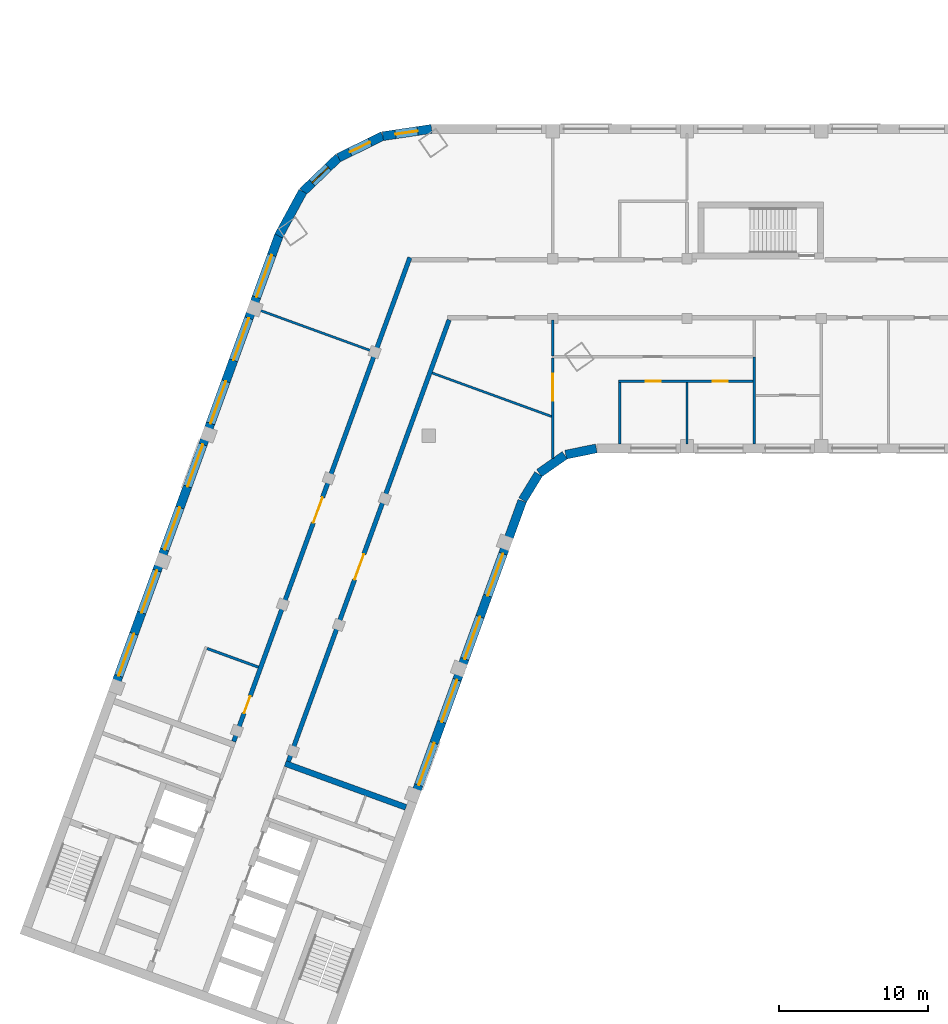
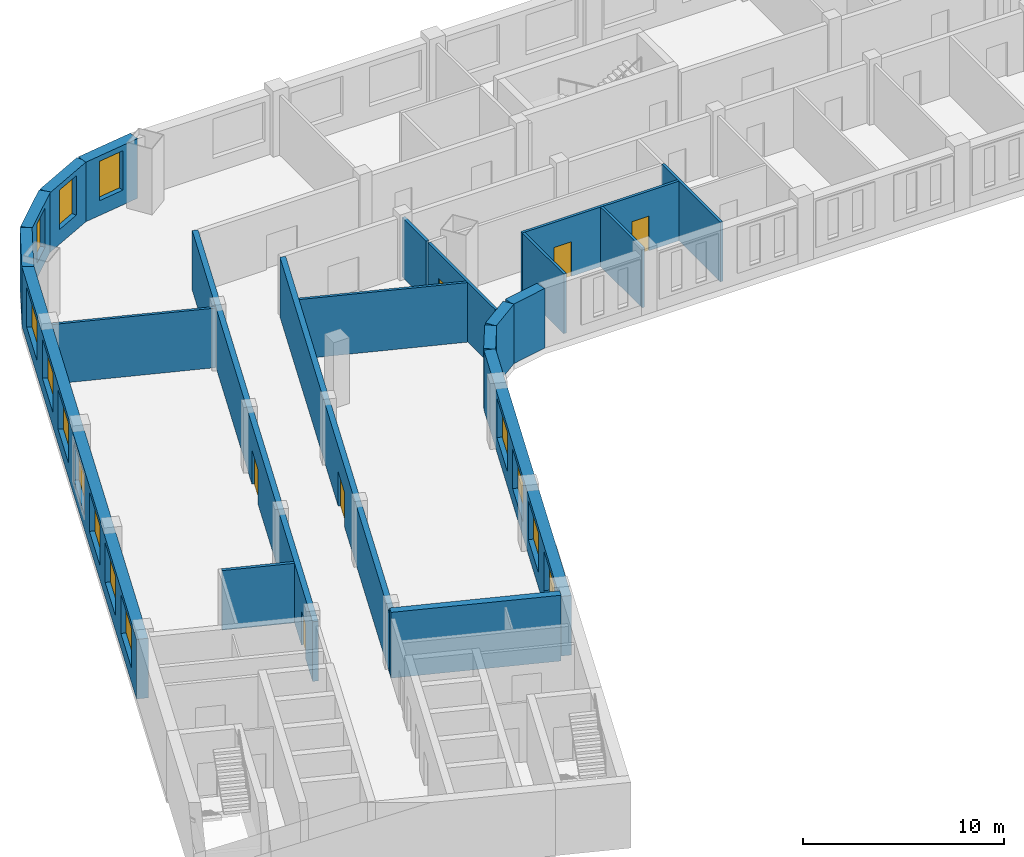
# One storey, part 3 of 12: 21 walls, 14 windows, 6 doors, 20 openings.
"""IFC4 building model written with IfcOpenShell, lengths in metres."""

import ifcopenshell
import ifcopenshell.guid

model = None  # the IFC model being written
_history = None  # IfcOwnerHistory: only IFC2X3 demands one
_inside = {}  # id of a spatial element -> (the spatial element, [elements in it])
_under = {}  # id of a project, library or spatial element -> (it, [spatial elements below it])
_declared = {}  # id of a project -> (the project, [libraries it declares])
_typed = {}  # id of a type object -> (the type object, [elements of that type])
_made_of = {}  # id of a material, layer set ... -> (it, [elements and type objects made of it])


def new_model(schema):
    """Start an empty IFC model of exactly this schema.

    Asked for "IFC4X3", IfcOpenShell would pick the latest addendum, in which some entities
    have other attributes; the version numbers below select the first issue.
    IFC2X3 requires an IfcOwnerHistory on every rooted entity: one is made here for all.
    """
    global model, _history
    if schema == "IFC4X3":
        model = ifcopenshell.file(schema_version=(4, 3, 0, 0))
    else:
        model = ifcopenshell.file(schema=schema)
    _inside.clear()
    _under.clear()
    _declared.clear()
    _typed.clear()
    _made_of.clear()
    _history = None
    if model.schema == "IFC2X3":
        org = make("IfcOrganization", Name="unknown")
        user = make(
            "IfcPersonAndOrganization",
            ThePerson=make("IfcPerson", FamilyName="unknown"),
            TheOrganization=org,
        )
        app = make(
            "IfcApplication",
            ApplicationDeveloper=org,
            Version="unknown",
            ApplicationFullName="unknown",
            ApplicationIdentifier="unknown",
        )
        _history = make(
            "IfcOwnerHistory",
            OwningUser=user,
            OwningApplication=app,
            ChangeAction="ADDED",
            CreationDate=0,
        )
    return model


def make(cls, **values):
    """One entity of the class cls with the attributes given. An attribute that is None is left unset."""
    return model.create_entity(
        cls, **{name: value for name, value in values.items() if value is not None}
    )


def rooted(cls, **values):
    """An entity with a GlobalId (a new one), such as an element, a storey or a relation."""
    return make(cls, GlobalId=ifcopenshell.guid.new(), OwnerHistory=_history, **values)


def si_unit(unit_type, name, prefix=None):
    """IfcSIUnit, for example si_unit("LENGTHUNIT", "METRE", prefix="MILLI")."""
    return make("IfcSIUnit", UnitType=unit_type, Prefix=prefix, Name=name)


def assignment(units):
    """IfcUnitAssignment: the units of a project."""
    return None if units is None else make("IfcUnitAssignment", Units=units)


def point(xyz):
    """IfcCartesianPoint."""
    return None if xyz is None else make("IfcCartesianPoint", Coordinates=xyz)


def direction(xyz):
    """IfcDirection."""
    return None if xyz is None else make("IfcDirection", DirectionRatios=xyz)


def frame(location, z_axis=None, x_axis=None):
    """IfcAxis2Placement3D, a coordinate frame: its origin and axes. An axis left out is left unset."""
    return make(
        "IfcAxis2Placement3D",
        Location=point(location),
        Axis=direction(z_axis),
        RefDirection=direction(x_axis),
    )


def frame_2d(location, x_axis=None):
    """IfcAxis2Placement2D, a coordinate frame in the plane: its origin and x axis."""
    return make(
        "IfcAxis2Placement2D", Location=point(location), RefDirection=direction(x_axis)
    )


def origin():
    """The frame at (0, 0, 0) with its axes left unset."""
    return frame((0.0, 0.0, 0.0))


def place(relative_to, where):
    """IfcLocalPlacement: puts the frame where relative to a parent placement (None: the world)."""
    return make(
        "IfcLocalPlacement", PlacementRelTo=relative_to, RelativePlacement=where
    )


def context(
    kind, dimensions, precision=None, world=None, true_north=None, identifier=None
):
    """IfcGeometricRepresentationContext, for example the 3D "Model" context."""
    return make(
        "IfcGeometricRepresentationContext",
        ContextIdentifier=identifier,
        ContextType=kind,
        CoordinateSpaceDimension=dimensions,
        Precision=precision,
        WorldCoordinateSystem=world,
        TrueNorth=true_north,
    )


def subcontext(parent, identifier, kind, view, scale=None):
    """IfcGeometricRepresentationSubContext, for example "Body" below "Model"."""
    return make(
        "IfcGeometricRepresentationSubContext",
        ContextIdentifier=identifier,
        ContextType=kind,
        ParentContext=parent,
        TargetScale=scale,
        TargetView=view,
    )


def project(units=None, contexts=None):
    """IfcProject with its units and contexts."""
    return rooted(
        "IfcProject",
        Name="project",
        RepresentationContexts=contexts,
        UnitsInContext=assignment(units),
    )


def spatial(cls, under=None, at=None, **own):
    """A site, building, storey or space (cls), placed at a placement, below another one or the project."""
    s = rooted(cls, ObjectPlacement=at, **own)
    if under is not None:
        _under.setdefault(under.id(), (under, []))[1].append(s)
    return s


def profile(cls, at=None, kind="AREA", **sizes):
    """A parametric profile (cls). Its sizes go by their IFC names, for example OverallWidth=200.0."""
    return make(cls, ProfileType=kind, Position=at, **sizes)


def rectangle(**sizes):
    """IfcRectangleProfileDef."""
    return profile("IfcRectangleProfileDef", **sizes)


def extrude(swept, where, along, depth):
    """IfcExtrudedAreaSolid: the profile swept, set in the frame where, extruded along a direction by depth."""
    return make(
        "IfcExtrudedAreaSolid",
        SweptArea=swept,
        Position=where,
        ExtrudedDirection=direction(along),
        Depth=depth,
    )


def shape(context_of_items, identifier, shape_type, items):
    """IfcShapeRepresentation: the items that make up one representation, for example the "Body"."""
    return make(
        "IfcShapeRepresentation",
        ContextOfItems=context_of_items,
        RepresentationIdentifier=identifier,
        RepresentationType=shape_type,
        Items=items,
    )


def material(Name=None, Category=None):
    """IfcMaterial."""
    return make("IfcMaterial", Name=Name, Category=Category)


def layer(
    of_material, thickness, ventilated=None, Name=None, Category=None, Priority=None
):
    """IfcMaterialLayer: one layer of a wall or slab, of a material (None: an air gap)."""
    return make(
        "IfcMaterialLayer",
        Material=of_material,
        LayerThickness=thickness,
        IsVentilated=ventilated,
        Name=Name,
        Category=Category,
        Priority=Priority,
    )


def layer_set(layers, Name=None):
    """IfcMaterialLayerSet."""
    return make("IfcMaterialLayerSet", MaterialLayers=layers, LayerSetName=Name)


def made_of(thing, what):
    """Note that an element or type object is made of a material, layer set ...; save() writes the relation."""
    if what is not None:
        _made_of.setdefault(what.id(), (what, []))[1].append(thing)
    return thing


def type_object(cls, material=None, **own):
    """A type object (cls), such as IfcWallType, which elements share."""
    return made_of(rooted(cls, **own), material)


def element(
    cls,
    number,
    at=None,
    inside=None,
    cuts=None,
    type_object=None,
    material=None,
    context=None,
    identifier="Body",
    shape_type=None,
    held_by="IfcProductDefinitionShape",
    body=None,
    shapes=None,
    **own,
):
    """One element of the class cls, such as IfcWall. Its Tag is "e" and its number.

    at: its placement. inside: the storey or other place that contains it. cuts: it is an
    opening in that element (IfcRelVoidsElement). A single representation is given by context,
    identifier, shape_type and body (its items); several are given by shapes. held_by: the class
    of the entity that holds the representations. save() writes the other relations.
    """
    e = rooted(cls, Tag="e%d" % number, ObjectPlacement=at, **own)
    if body is not None:
        shapes = [shape(context, identifier, shape_type, body)]
    if shapes is not None:
        e.Representation = make(held_by, Representations=shapes)
    if inside is not None:
        _inside.setdefault(inside.id(), (inside, []))[1].append(e)
    if cuts is not None:
        rooted(
            "IfcRelVoidsElement", RelatingBuildingElement=cuts, RelatedOpeningElement=e
        )
    if type_object is not None:
        _typed.setdefault(type_object.id(), (type_object, []))[1].append(e)
    return made_of(e, material)


def fill(opening, filler):
    """IfcRelFillsElement: the door or window that sits in an opening."""
    return rooted(
        "IfcRelFillsElement",
        RelatingOpeningElement=opening,
        RelatedBuildingElement=filler,
    )


def aggregate(whole, parts):
    """IfcRelAggregates: a whole, such as a stair, and the parts it consists of."""
    return rooted("IfcRelAggregates", RelatingObject=whole, RelatedObjects=parts)


def save(model, path):
    """Write the relations noted so far, then the file.

    IfcRelAggregates (storeys below a building ...), IfcRelContainedInSpatialStructure (elements
    in a storey), IfcRelDefinesByType, IfcRelAssociatesMaterial and IfcRelDeclares: one each for
    every whole, place, type object, material and project.
    """
    for whole, parts in _under.values():
        aggregate(whole, parts)
    for where, things in _inside.values():
        rooted(
            "IfcRelContainedInSpatialStructure",
            RelatedElements=things,
            RelatingStructure=where,
        )
    for kind, things in _typed.values():
        rooted("IfcRelDefinesByType", RelatedObjects=things, RelatingType=kind)
    for what, things in _made_of.values():
        rooted("IfcRelAssociatesMaterial", RelatedObjects=things, RelatingMaterial=what)
    for by, libraries in _declared.values():
        rooted("IfcRelDeclares", RelatingContext=by, RelatedDefinitions=libraries)
    model.write(path)


model = new_model("IFC4")

# Units and contexts
model_context = context("Model", 3, precision=1e-05, world=origin(), true_north=direction((0.0, 1.0)))
body_context = subcontext(model_context, "Body", "Model", "MODEL_VIEW")
ifc_project = project(units=[si_unit("LENGTHUNIT", "METRE"), si_unit("AREAUNIT", "SQUARE_METRE"), si_unit("VOLUMEUNIT", "CUBIC_METRE"), si_unit("PLANEANGLEUNIT", "RADIAN"), si_unit("MASSUNIT", "GRAM", prefix="KILO")], contexts=[model_context])

# Site, building, storey
site_placement = place(None, origin())
site = spatial("IfcSite", under=ifc_project, at=site_placement, CompositionType="ELEMENT")
building_placement = place(site_placement, origin())
building = spatial("IfcBuilding", under=site, at=building_placement, Name="Skarvind Civic Tower", CompositionType="ELEMENT")
storey_placement = place(building_placement, frame((0.0, 0.0, 71.5)))
storey = spatial("IfcBuildingStorey", under=building, at=storey_placement, Name="L16", CompositionType="ELEMENT", Elevation=71.5)

# Walls
ifc_material_1 = material(Name="Acoustic gypsum board on steel studs", Category="steel")
ifc_layer_1 = layer(ifc_material_1, 0.175048828125)
ifc_layer_set_1 = layer_set([ifc_layer_1], Name="ACOUSTIC MEETING-ROOM PARTITION 175")
wall_type_1 = type_object("IfcWallType", Name="ACOUSTIC MEETING-ROOM PARTITION 175", PredefinedType="PARTITIONING", material=ifc_layer_set_1)
wall_1_placement = place(storey_placement, frame((31.093994140625, 103.89404296875, 0.0), z_axis=(0.0, 0.0, 1.0), x_axis=(0.939676603928, -0.342064146075, 0.0)))
element("IfcWall", 1, at=wall_1_placement, inside=storey, type_object=wall_type_1, Name="Partition 16.002", PredefinedType="PARTITIONING", context=body_context, shape_type="SweptSolid", body=[
    extrude(rectangle(XDim=3.662841796875, YDim=0.175048828125, at=frame_2d((1.83154296875, 0.0))), origin(), (0.0, 0.0, 1.0), 3.625),
])
wall_2_placement = place(storey_placement, frame((54.25, 123.501953125, 0.0), z_axis=(0.0, 0.0, 1.0), x_axis=(0.0, 1.0, 0.0)))
element("IfcWall", 2, at=wall_2_placement, inside=storey, type_object=wall_type_1, Name="Partition 16.009", PredefinedType="PARTITIONING", context=body_context, shape_type="SweptSolid", body=[
    extrude(rectangle(XDim=2.39794921875, YDim=0.175048828125, at=frame_2d((1.198974609375, 0.0))), origin(), (0.0, 0.0, 1.0), 3.625),
])

# Wall, openings, doors
ifc_material_2 = material(Name="Fire-rated gypsum board on steel studs", Category="steel")
ifc_layer_2 = layer(ifc_material_2, 0.300048828125)
ifc_layer_set_2 = layer_set([ifc_layer_2], Name="CORRIDOR WALL 300")
wall_type_2 = type_object("IfcWallType", Name="CORRIDOR WALL 300", PredefinedType="PARTITIONING", material=ifc_layer_set_2)
wall_3_placement = place(storey_placement, frame((32.881103515625, 97.656982421875, 0.0), z_axis=(0.0, 0.0, 1.0), x_axis=(0.342017360004, 0.939693633828, 0.0)))
wall_3 = element("IfcWall", 3, at=wall_3_placement, inside=storey, type_object=wall_type_2, Name="Partition 16.003", PredefinedType="PARTITIONING", context=body_context, shape_type="SweptSolid", body=[
    extrude(rectangle(XDim=34.515625, YDim=0.300048828125, at=frame_2d((17.2578125, 0.0))), origin(), (0.0, 0.0, 1.0), 3.625),
])
opening_1_placement = place(wall_3_placement, frame((2.02490234375, 0.0, 0.0)))
opening_1 = element("IfcOpeningElement", 4, at=opening_1_placement, cuts=wall_3, Name="Opening L16-D017", PredefinedType="OPENING", context=body_context, shape_type="SweptSolid", body=[
    extrude(rectangle(XDim=1.199951171875, YDim=2.10009765625, at=frame_2d((0.60009765625, 1.050048828125))), frame((0.0, 0.159912109375, 0.0), z_axis=(0.0, -1.0, 0.0), x_axis=(1.0, 0.0, 0.0)), (0.0, 0.0, 1.0), 0.320068359375),
])
opening_2_placement = place(wall_3_placement, frame((15.60009765625, 0.0, 0.0)))
opening_2 = element("IfcOpeningElement", 5, at=opening_2_placement, cuts=wall_3, Name="Opening L16-D018", PredefinedType="OPENING", context=body_context, shape_type="SweptSolid", body=[
    extrude(rectangle(XDim=1.800048828125, YDim=2.10009765625, at=frame_2d((0.89990234375, 1.050048828125))), frame((0.0, 0.159912109375, 0.0), z_axis=(0.0, -1.0, 0.0), x_axis=(1.0, 0.0, 0.0)), (0.0, 0.0, 1.0), 0.320068359375),
])
ifc_material_3 = material(Name="Fire-rated timber door leaf", Category="wood")
door_type_1 = type_object("IfcDoorType", Name="FD4 1800x2100", OperationType="NOTDEFINED", PredefinedType="DOOR", material=ifc_material_3)
door_1_placement = place(opening_2_placement, origin())
door_1 = element("IfcDoor", 6, at=door_1_placement, inside=storey, type_object=door_type_1, Name="Door L16-D018", OperationType="DOUBLE_DOOR_SINGLE_SWING", OverallHeight=2.10009765625, OverallWidth=1.800048828125, PredefinedType="DOOR", context=body_context, shape_type="SweptSolid", body=[
    extrude(rectangle(XDim=1.800048828125, YDim=2.10009765625, at=frame_2d((0.89990234375, 1.050048828125))), frame((0.0, 0.02490234375, 0.0), z_axis=(0.0, -1.0, 0.0), x_axis=(1.0, 0.0, 0.0)), (0.0, 0.0, 1.0), 0.050048828125),
])
fill(opening_2, door_1)
door_type_2 = type_object("IfcDoorType", Name="FD6 1200x2100 DOUBLE", OperationType="NOTDEFINED", PredefinedType="DOOR", material=ifc_material_3)
door_2_placement = place(opening_1_placement, origin())
door_2 = element("IfcDoor", 7, at=door_2_placement, inside=storey, type_object=door_type_2, Name="Door L16-D017", OperationType="DOUBLE_DOOR_SINGLE_SWING", OverallHeight=2.10009765625, OverallWidth=1.199951171875, PredefinedType="DOOR", context=body_context, shape_type="SweptSolid", body=[
    extrude(rectangle(XDim=1.199951171875, YDim=2.10009765625, at=frame_2d((0.60009765625, 1.050048828125))), frame((0.0, 0.02490234375, 0.0), z_axis=(0.0, -1.0, 0.0), x_axis=(1.0, 0.0, 0.0)), (0.0, 0.0, 1.0), 0.050048828125),
])
fill(opening_1, door_2)

# Wall, opening, door
wall_4_placement = place(storey_placement, frame((47.31396484375, 125.908935546875, 0.0), z_axis=(0.0, 0.0, 1.0), x_axis=(-0.342010770371, -0.939696032209, 0.0)))
wall_4 = element("IfcWall", 8, at=wall_4_placement, inside=storey, type_object=wall_type_2, Name="Partition 16.006", PredefinedType="PARTITIONING", context=body_context, shape_type="SweptSolid", body=[
    extrude(rectangle(XDim=31.484619140625, YDim=0.300048828125, at=frame_2d((15.7421875, 0.0))), origin(), (0.0, 0.0, 1.0), 3.625),
])
opening_3_placement = place(wall_4_placement, frame((16.709228515625, 0.0, 0.0)))
opening_3 = element("IfcOpeningElement", 9, at=opening_3_placement, cuts=wall_4, Name="Opening L16-D019", PredefinedType="OPENING", context=body_context, shape_type="SweptSolid", body=[
    extrude(rectangle(XDim=1.800048828125, YDim=2.10009765625, at=frame_2d((0.89990234375, 1.050048828125))), frame((0.0, 0.159912109375, 0.0), z_axis=(0.0, -1.0, 0.0), x_axis=(1.0, 0.0, 0.0)), (0.0, 0.0, 1.0), 0.320068359375),
])
door_3_placement = place(opening_3_placement, origin())
door_3 = element("IfcDoor", 10, at=door_3_placement, inside=storey, type_object=door_type_1, Name="Door L16-D019", OperationType="DOUBLE_DOOR_SINGLE_SWING", OverallHeight=2.10009765625, OverallWidth=1.800048828125, PredefinedType="DOOR", context=body_context, shape_type="SweptSolid", body=[
    extrude(rectangle(XDim=1.800048828125, YDim=2.10009765625, at=frame_2d((0.89990234375, 1.050048828125))), frame((0.0, 0.02490234375, 0.0), z_axis=(0.0, -1.0, 0.0), x_axis=(1.0, 0.0, 0.0)), (0.0, 0.0, 1.0), 0.050048828125),
])
fill(opening_3, door_3)

# Walls
ifc_material_4 = material(Name="Concrete C80", Category="concrete")
ifc_layer_3 = layer(ifc_material_4, 0.39990234375)
ifc_layer_set_3 = layer_set([ifc_layer_3], Name="Core wall 400 C80")
wall_type_3 = type_object("IfcWallType", Name="Core wall 400 C80", PredefinedType="SHEAR", material=ifc_layer_set_3)
wall_5_placement = place(storey_placement, frame((44.417724609375, 93.2451171875, 0.0), z_axis=(0.0, 0.0, 1.0), x_axis=(-0.93969060187, 0.342025690201, 0.0)))
element("IfcWall", 11, at=wall_5_placement, inside=storey, type_object=wall_type_3, Name="Core wall C2 south inner face L16", PredefinedType="SHEAR", context=body_context, shape_type="SweptSolid", body=[
    extrude(rectangle(XDim=8.599853515625, YDim=0.39990234375, at=frame_2d((4.2998046875, 0.0))), origin(), (0.0, 0.0, 1.0), 4.0),
])
ifc_material_5 = material(Name="Plasterboard partition on steel studs", Category="steel")
ifc_layer_4 = layer(ifc_material_5, 0.14990234375)
ifc_layer_set_4 = layer_set([ifc_layer_4], Name="PARTITION 150")
wall_type_4 = type_object("IfcWallType", Name="PARTITION 150", PredefinedType="PARTITIONING", material=ifc_layer_set_4)
wall_6_placement = place(storey_placement, frame((42.23095703125, 123.784912109375, 0.0), z_axis=(0.0, 0.0, 1.0), x_axis=(-0.939687752599, 0.342033518263, 0.0)))
element("IfcWall", 12, at=wall_6_placement, inside=storey, type_object=wall_type_4, Name="Partition 16.004", PredefinedType="PARTITIONING", context=body_context, shape_type="SweptSolid", body=[
    extrude(rectangle(XDim=8.30078125, YDim=0.14990234375, at=frame_2d((4.150390625, 0.0))), origin(), (0.0, 0.0, 1.0), 3.625),
])

# Wall, opening, door
wall_7_placement = place(storey_placement, frame((54.25, 116.636962890625, 0.0), z_axis=(0.0, 0.0, 1.0), x_axis=(0.0, 1.0, 0.0)))
wall_7 = element("IfcWall", 13, at=wall_7_placement, inside=storey, type_object=wall_type_4, Name="Partition 16.007", PredefinedType="PARTITIONING", context=body_context, shape_type="SweptSolid", body=[
    extrude(rectangle(XDim=6.708984375, YDim=0.14990234375, at=frame_2d((3.3544921875, 0.0))), origin(), (0.0, 0.0, 1.0), 3.625),
])
opening_4_placement = place(wall_7_placement, frame((3.849609375, 0.0, 0.0)))
opening_4 = element("IfcOpeningElement", 14, at=opening_4_placement, cuts=wall_7, Name="Opening L16-D016", PredefinedType="OPENING", context=body_context, shape_type="SweptSolid", body=[
    extrude(rectangle(XDim=1.800048828125, YDim=2.10009765625, at=frame_2d((0.89990234375, 1.050048828125))), frame((0.0, 0.0849609375, 0.0), z_axis=(0.0, -1.0, 0.0), x_axis=(1.0, 0.0, 0.0)), (0.0, 0.0, 1.0), 0.169921875),
])
ifc_material_6 = material(Name="Timber door leaf", Category="wood")
door_type_3 = type_object("IfcDoorType", Name="D4 1800x2100", OperationType="NOTDEFINED", PredefinedType="DOOR", material=ifc_material_6)
door_4_placement = place(opening_4_placement, origin())
door_4 = element("IfcDoor", 15, at=door_4_placement, inside=storey, type_object=door_type_3, Name="Door L16-D016", OperationType="DOUBLE_DOOR_SINGLE_SWING", OverallHeight=2.10009765625, OverallWidth=1.800048828125, PredefinedType="DOOR", context=body_context, shape_type="SweptSolid", body=[
    extrude(rectangle(XDim=1.800048828125, YDim=2.10009765625, at=frame_2d((0.89990234375, 1.050048828125))), frame((0.0, 0.02490234375, 0.0), z_axis=(0.0, -1.0, 0.0), x_axis=(1.0, 0.0, 0.0)), (0.0, 0.0, 1.0), 0.050048828125),
])
fill(opening_4, door_4)

# Walls
wall_8_placement = place(storey_placement, frame((54.179931640625, 119.43603515625, 0.0), z_axis=(0.0, 0.0, 1.0), x_axis=(-0.939669476286, 0.342083725624, 0.0)))
element("IfcWall", 16, at=wall_8_placement, inside=storey, type_object=wall_type_4, Name="Partition 16.008", PredefinedType="PARTITIONING", context=body_context, shape_type="SweptSolid", body=[
    extrude(rectangle(XDim=8.515625, YDim=0.14990234375, at=frame_2d((4.2578125, 0.0))), origin(), (0.0, 0.0, 1.0), 3.625),
])
wall_9_placement = place(storey_placement, frame((58.75, 117.60009765625, 0.0), z_axis=(0.0, 0.0, 1.0), x_axis=(0.0, 1.0, 0.0)))
element("IfcWall", 17, at=wall_9_placement, inside=storey, type_object=wall_type_4, Name="Partition 16.012", PredefinedType="PARTITIONING", context=body_context, shape_type="SweptSolid", body=[
    extrude(rectangle(XDim=4.125, YDim=0.14990234375, at=frame_2d((2.0625, 0.0))), origin(), (0.0, 0.0, 1.0), 3.625),
])

# Wall, openings, doors
wall_10_placement = place(storey_placement, frame((58.675048828125, 121.800048828125, 0.0), z_axis=(0.0, 0.0, 1.0), x_axis=(1.0, 0.0, 0.0)))
wall_10 = element("IfcWall", 18, at=wall_10_placement, inside=storey, type_object=wall_type_4, Name="Partition 16.013", PredefinedType="PARTITIONING", context=body_context, shape_type="SweptSolid", body=[
    extrude(rectangle(XDim=9.0, YDim=0.14990234375, at=frame_2d((4.5, 0.0))), origin(), (0.0, 0.0, 1.0), 3.625),
])
opening_5_placement = place(wall_10_placement, frame((6.297607421875, 0.0, 0.0)))
opening_5 = element("IfcOpeningElement", 19, at=opening_5_placement, cuts=wall_10, Name="Opening L16-D013", PredefinedType="OPENING", context=body_context, shape_type="SweptSolid", body=[
    extrude(rectangle(XDim=1.0, YDim=2.10009765625, at=frame_2d((0.5, 1.050048828125))), frame((0.0, 0.0849609375, 0.0), z_axis=(0.0, -1.0, 0.0), x_axis=(1.0, 0.0, 0.0)), (0.0, 0.0, 1.0), 0.169921875),
])
opening_6_placement = place(wall_10_placement, frame((1.824951171875, 0.0, 0.0)))
opening_6 = element("IfcOpeningElement", 20, at=opening_6_placement, cuts=wall_10, Name="Opening L16-D014", PredefinedType="OPENING", context=body_context, shape_type="SweptSolid", body=[
    extrude(rectangle(XDim=1.0, YDim=2.10009765625, at=frame_2d((0.5, 1.050048828125))), frame((0.0, 0.0849609375, 0.0), z_axis=(0.0, -1.0, 0.0), x_axis=(1.0, 0.0, 0.0)), (0.0, 0.0, 1.0), 0.169921875),
])
door_type_4 = type_object("IfcDoorType", Name="D1 1000x2100", OperationType="NOTDEFINED", PredefinedType="DOOR", material=ifc_material_6)
door_5_placement = place(opening_5_placement, origin())
door_5 = element("IfcDoor", 21, at=door_5_placement, inside=storey, type_object=door_type_4, Name="Door L16-D013", OperationType="SINGLE_SWING_RIGHT", OverallHeight=2.10009765625, OverallWidth=1.0, PredefinedType="DOOR", context=body_context, shape_type="SweptSolid", body=[
    extrude(rectangle(XDim=1.0, YDim=2.10009765625, at=frame_2d((0.5, 1.050048828125))), frame((0.0, 0.02490234375, 0.0), z_axis=(0.0, -1.0, 0.0), x_axis=(1.0, 0.0, 0.0)), (0.0, 0.0, 1.0), 0.050048828125),
])
fill(opening_5, door_5)
door_6_placement = place(opening_6_placement, origin())
door_6 = element("IfcDoor", 22, at=door_6_placement, inside=storey, type_object=door_type_4, Name="Door L16-D014", OperationType="SINGLE_SWING_LEFT", OverallHeight=2.10009765625, OverallWidth=1.0, PredefinedType="DOOR", context=body_context, shape_type="SweptSolid", body=[
    extrude(rectangle(XDim=1.0, YDim=2.10009765625, at=frame_2d((0.5, 1.050048828125))), frame((0.0, 0.02490234375, 0.0), z_axis=(0.0, -1.0, 0.0), x_axis=(1.0, 0.0, 0.0)), (0.0, 0.0, 1.0), 0.050048828125),
])
fill(opening_6, door_6)

# Walls
wall_11_placement = place(storey_placement, frame((63.25, 117.60009765625, 0.0), z_axis=(0.0, 0.0, 1.0), x_axis=(0.0, 1.0, 0.0)))
element("IfcWall", 23, at=wall_11_placement, inside=storey, type_object=wall_type_4, Name="Partition 16.016", PredefinedType="PARTITIONING", context=body_context, shape_type="SweptSolid", body=[
    extrude(rectangle(XDim=4.125, YDim=0.14990234375, at=frame_2d((2.0625, 0.0))), origin(), (0.0, 0.0, 1.0), 3.625),
])
wall_12_placement = place(storey_placement, frame((67.75, 117.60009765625, 0.0), z_axis=(0.0, 0.0, 1.0), x_axis=(0.0, 1.0, 0.0)))
element("IfcWall", 24, at=wall_12_placement, inside=storey, type_object=wall_type_4, Name="Partition 16.019", PredefinedType="PARTITIONING", context=body_context, shape_type="SweptSolid", body=[
    extrude(rectangle(XDim=5.829833984375, YDim=0.14990234375, at=frame_2d((2.9150390625, 0.0))), origin(), (0.0, 0.0, 1.0), 3.625),
])

# Wall, openings, windows
ifc_material_7 = material(Name="Limestone masonry cladding on insulated backing", Category="masonry")
ifc_layer_5 = layer(ifc_material_7, 0.60009765625)
ifc_layer_set_5 = layer_set([ifc_layer_5], Name="WX1 STONE FACADE WALL 600")
wall_type_5 = type_object("IfcWallType", Name="WX1 STONE FACADE WALL 600", PredefinedType="SOLIDWALL", material=ifc_layer_set_5)
wall_13_placement = place(storey_placement, frame((52.212158203125, 113.78271484375, 0.0), z_axis=(0.0, 0.0, 1.0), x_axis=(-0.34202521188, -0.939690775968, 0.0)))
wall_13 = element("IfcWall", 25, at=wall_13_placement, inside=storey, type_object=wall_type_5, Name="STONE FACADE WALL", PredefinedType="SOLIDWALL", context=body_context, shape_type="SweptSolid", body=[
    extrude(rectangle(XDim=21.744873046875, YDim=0.60009765625, at=frame_2d((10.87255859375, 0.0))), origin(), (0.0, 0.0, 1.0), 3.625),
])
opening_7_placement = place(wall_13_placement, frame((3.764892578125, 0.0, 0.89990234375)))
opening_7 = element("IfcOpeningElement", 26, at=opening_7_placement, cuts=wall_13, Name="Opening WN1", PredefinedType="OPENING", context=body_context, shape_type="SweptSolid", body=[
    extrude(rectangle(XDim=3.0, YDim=2.39990234375, at=frame_2d((1.5, 1.199951171875))), frame((0.0, 0.31005859375, 0.0), z_axis=(0.0, -1.0, 0.0), x_axis=(1.0, 0.0, 0.0)), (0.0, 0.0, 1.0), 0.6201171875),
])
opening_8_placement = place(wall_13_placement, frame((8.264892578125, 0.0, 0.89990234375)))
opening_8 = element("IfcOpeningElement", 27, at=opening_8_placement, cuts=wall_13, Name="Opening WN1", PredefinedType="OPENING", context=body_context, shape_type="SweptSolid", body=[
    extrude(rectangle(XDim=3.0, YDim=2.39990234375, at=frame_2d((1.5, 1.199951171875))), frame((0.0, 0.31005859375, 0.0), z_axis=(0.0, -1.0, 0.0), x_axis=(1.0, 0.0, 0.0)), (0.0, 0.0, 1.0), 0.6201171875),
])
opening_9_placement = place(wall_13_placement, frame((12.764892578125, 0.0, 0.89990234375)))
opening_9 = element("IfcOpeningElement", 28, at=opening_9_placement, cuts=wall_13, Name="Opening WN1", PredefinedType="OPENING", context=body_context, shape_type="SweptSolid", body=[
    extrude(rectangle(XDim=3.0, YDim=2.39990234375, at=frame_2d((1.5, 1.199951171875))), frame((0.0, 0.31005859375, 0.0), z_axis=(0.0, -1.0, 0.0), x_axis=(1.0, 0.0, 0.0)), (0.0, 0.0, 1.0), 0.6201171875),
])
opening_10_placement = place(wall_13_placement, frame((17.264892578125, 0.0, 0.89990234375)))
opening_10 = element("IfcOpeningElement", 29, at=opening_10_placement, cuts=wall_13, Name="Opening WN1", PredefinedType="OPENING", context=body_context, shape_type="SweptSolid", body=[
    extrude(rectangle(XDim=3.0, YDim=2.39990234375, at=frame_2d((1.5, 1.199951171875))), frame((0.0, 0.31005859375, 0.0), z_axis=(0.0, -1.0, 0.0), x_axis=(1.0, 0.0, 0.0)), (0.0, 0.0, 1.0), 0.6201171875),
])
ifc_material_8 = material(Name="Timber frame, double glazing, timber-lined reveal", Category="wood")
window_type_1 = type_object("IfcWindowType", Name="WN1 PUNCHED STONE WINDOW 3000 x 2400", PartitioningType="SINGLE_PANEL", PredefinedType="WINDOW", material=ifc_material_8)
window_1_placement = place(opening_7_placement, origin())
window_1 = element("IfcWindow", 30, at=window_1_placement, inside=storey, type_object=window_type_1, Name="WN1 WINDOW", OverallHeight=2.39990234375, OverallWidth=3.0, PartitioningType="SINGLE_PANEL", PredefinedType="WINDOW", context=body_context, shape_type="SweptSolid", body=[
    extrude(rectangle(XDim=3.0, YDim=2.39990234375, at=frame_2d((1.5, 1.199951171875))), frame((0.0, 0.030029296875, 0.0), z_axis=(0.0, -1.0, 0.0), x_axis=(1.0, 0.0, 0.0)), (0.0, 0.0, 1.0), 0.06005859375),
])
fill(opening_7, window_1)
window_2_placement = place(opening_8_placement, origin())
window_2 = element("IfcWindow", 31, at=window_2_placement, inside=storey, type_object=window_type_1, Name="WN1 WINDOW", OverallHeight=2.39990234375, OverallWidth=3.0, PartitioningType="SINGLE_PANEL", PredefinedType="WINDOW", context=body_context, shape_type="SweptSolid", body=[
    extrude(rectangle(XDim=3.0, YDim=2.39990234375, at=frame_2d((1.5, 1.199951171875))), frame((0.0, 0.030029296875, 0.0), z_axis=(0.0, -1.0, 0.0), x_axis=(1.0, 0.0, 0.0)), (0.0, 0.0, 1.0), 0.06005859375),
])
fill(opening_8, window_2)
window_3_placement = place(opening_9_placement, origin())
window_3 = element("IfcWindow", 32, at=window_3_placement, inside=storey, type_object=window_type_1, Name="WN1 WINDOW", OverallHeight=2.39990234375, OverallWidth=3.0, PartitioningType="SINGLE_PANEL", PredefinedType="WINDOW", context=body_context, shape_type="SweptSolid", body=[
    extrude(rectangle(XDim=3.0, YDim=2.39990234375, at=frame_2d((1.5, 1.199951171875))), frame((0.0, 0.030029296875, 0.0), z_axis=(0.0, -1.0, 0.0), x_axis=(1.0, 0.0, 0.0)), (0.0, 0.0, 1.0), 0.06005859375),
])
fill(opening_9, window_3)
window_4_placement = place(opening_10_placement, origin())
window_4 = element("IfcWindow", 33, at=window_4_placement, inside=storey, type_object=window_type_1, Name="WN1 WINDOW", OverallHeight=2.39990234375, OverallWidth=3.0, PartitioningType="SINGLE_PANEL", PredefinedType="WINDOW", context=body_context, shape_type="SweptSolid", body=[
    extrude(rectangle(XDim=3.0, YDim=2.39990234375, at=frame_2d((1.5, 1.199951171875))), frame((0.0, 0.030029296875, 0.0), z_axis=(0.0, -1.0, 0.0), x_axis=(1.0, 0.0, 0.0)), (0.0, 0.0, 1.0), 0.06005859375),
])
fill(opening_10, window_4)

# Walls
wall_14_placement = place(storey_placement, frame((53.30517578125, 115.578369140625, 0.0), z_axis=(0.0, 0.0, 1.0), x_axis=(-0.522402266438, -0.852699168535, 0.0)))
element("IfcWall", 34, at=wall_14_placement, inside=storey, type_object=wall_type_5, Name="STONE FACADE WALL", PredefinedType="SOLIDWALL", context=body_context, shape_type="SweptSolid", body=[
    extrude(rectangle(XDim=2.042236328125, YDim=0.60009765625, at=frame_2d((1.02099609375, 0.0))), origin(), (0.0, 0.0, 1.0), 3.625),
])
for number, where, z_axis, x_axis, name in (
    (35, (55.061767578125, 116.8388671875, 0.0), (0.0, 0.0, 1.0), (-0.819122269495, -0.573618956815, 0.0), "STONE FACADE WALL"),
    (36, (57.17529296875, 117.2939453125, 0.0), (0.0, 0.0, 1.0), (-0.97996099083, -0.19918949885, 0.0), "STONE FACADE WALL"),
):
    element("IfcWall", number, at=place(storey_placement, frame(where, z_axis=z_axis, x_axis=x_axis)), inside=storey, type_object=wall_type_5, Name=name, PredefinedType="SOLIDWALL", context=body_context, shape_type="SweptSolid", body=[
        extrude(rectangle(XDim=2.09228515625, YDim=0.60009765625, at=frame_2d((1.046142578125, 0.0))), origin(), (0.0, 0.0, 1.0), 3.625),
    ])

# Wall, opening, window
wall_15_placement = place(storey_placement, frame((42.872802734375, 138.21728515625, 0.0), z_axis=(0.0, 0.0, 1.0), x_axis=(0.989110792192, 0.14717282619, 0.0)))
wall_15 = element("IfcWall", 37, at=wall_15_placement, inside=storey, type_object=wall_type_5, Name="STONE FACADE WALL", PredefinedType="SOLIDWALL", context=body_context, shape_type="SweptSolid", body=[
    extrude(rectangle(XDim=3.302734375, YDim=0.60009765625, at=frame_2d((1.6513671875, 0.0))), origin(), (0.0, 0.0, 1.0), 3.625),
])
opening_11_placement = place(wall_15_placement, frame((0.8564453125, 0.0, 0.89990234375)))
opening_11 = element("IfcOpeningElement", 38, at=opening_11_placement, cuts=wall_15, Name="Opening WN8", PredefinedType="OPENING", context=body_context, shape_type="SweptSolid", body=[
    extrude(rectangle(XDim=1.5, YDim=2.39990234375, at=frame_2d((0.75, 1.199951171875))), frame((0.0, 0.31005859375, 0.0), z_axis=(0.0, -1.0, 0.0), x_axis=(1.0, 0.0, 0.0)), (0.0, 0.0, 1.0), 0.6201171875),
])
window_type_2 = type_object("IfcWindowType", Name="WN8 ARC BAY WINDOW 1500 x 2400", PartitioningType="SINGLE_PANEL", PredefinedType="WINDOW", material=ifc_material_8)
window_5_placement = place(opening_11_placement, origin())
window_5 = element("IfcWindow", 39, at=window_5_placement, inside=storey, type_object=window_type_2, Name="WN8 WINDOW", OverallHeight=2.39990234375, OverallWidth=1.5, PartitioningType="SINGLE_PANEL", PredefinedType="WINDOW", context=body_context, shape_type="SweptSolid", body=[
    extrude(rectangle(XDim=1.5, YDim=2.39990234375, at=frame_2d((0.75, 1.199951171875))), frame((0.0, 0.030029296875, 0.0), z_axis=(0.0, -1.0, 0.0), x_axis=(1.0, 0.0, 0.0)), (0.0, 0.0, 1.0), 0.06005859375),
])
fill(opening_11, window_5)

wall_16_placement = place(storey_placement, frame((39.9072265625, 136.77587890625, 0.0), z_axis=(0.0, 0.0, 1.0), x_axis=(0.89761231107, 0.440785819889, 0.0)))
wall_16 = element("IfcWall", 40, at=wall_16_placement, inside=storey, type_object=wall_type_5, Name="STONE FACADE WALL", PredefinedType="SOLIDWALL", context=body_context, shape_type="SweptSolid", body=[
    extrude(rectangle(XDim=3.302734375, YDim=0.60009765625, at=frame_2d((1.6513671875, 0.0))), origin(), (0.0, 0.0, 1.0), 3.625),
])
opening_12_placement = place(wall_16_placement, frame((0.8564453125, 0.0, 0.89990234375)))
opening_12 = element("IfcOpeningElement", 41, at=opening_12_placement, cuts=wall_16, Name="Opening WN8", PredefinedType="OPENING", context=body_context, shape_type="SweptSolid", body=[
    extrude(rectangle(XDim=1.5, YDim=2.39990234375, at=frame_2d((0.75, 1.199951171875))), frame((0.0, 0.31005859375, 0.0), z_axis=(0.0, -1.0, 0.0), x_axis=(1.0, 0.0, 0.0)), (0.0, 0.0, 1.0), 0.6201171875),
])
window_6_placement = place(opening_12_placement, origin())
window_6 = element("IfcWindow", 42, at=window_6_placement, inside=storey, type_object=window_type_2, Name="WN8 WINDOW", OverallHeight=2.39990234375, OverallWidth=1.5, PartitioningType="SINGLE_PANEL", PredefinedType="WINDOW", context=body_context, shape_type="SweptSolid", body=[
    extrude(rectangle(XDim=1.5, YDim=2.39990234375, at=frame_2d((0.75, 1.199951171875))), frame((0.0, 0.030029296875, 0.0), z_axis=(0.0, -1.0, 0.0), x_axis=(1.0, 0.0, 0.0)), (0.0, 0.0, 1.0), 0.06005859375),
])
fill(opening_12, window_6)

wall_17_placement = place(storey_placement, frame((37.520263671875, 134.501220703125, 0.0), z_axis=(0.0, 0.0, 1.0), x_axis=(0.72115684486, 0.692771827596, 0.0)))
wall_17 = element("IfcWall", 43, at=wall_17_placement, inside=storey, type_object=wall_type_5, Name="STONE FACADE WALL", PredefinedType="SOLIDWALL", context=body_context, shape_type="SweptSolid", body=[
    extrude(rectangle(XDim=3.302734375, YDim=0.60009765625, at=frame_2d((1.6513671875, 0.0))), origin(), (0.0, 0.0, 1.0), 3.625),
])
opening_13_placement = place(wall_17_placement, frame((0.8564453125, 0.0, 0.89990234375)))
opening_13 = element("IfcOpeningElement", 44, at=opening_13_placement, cuts=wall_17, Name="Opening WN8", PredefinedType="OPENING", context=body_context, shape_type="SweptSolid", body=[
    extrude(rectangle(XDim=1.5, YDim=2.39990234375, at=frame_2d((0.75, 1.199951171875))), frame((0.0, 0.31005859375, 0.0), z_axis=(0.0, -1.0, 0.0), x_axis=(1.0, 0.0, 0.0)), (0.0, 0.0, 1.0), 0.6201171875),
])
window_7_placement = place(opening_13_placement, origin())
window_7 = element("IfcWindow", 45, at=window_7_placement, inside=storey, type_object=window_type_2, Name="WN8 WINDOW", OverallHeight=2.39990234375, OverallWidth=1.5, PartitioningType="SINGLE_PANEL", PredefinedType="WINDOW", context=body_context, shape_type="SweptSolid", body=[
    extrude(rectangle(XDim=1.5, YDim=2.39990234375, at=frame_2d((0.75, 1.199951171875))), frame((0.0, 0.030029296875, 0.0), z_axis=(0.0, -1.0, 0.0), x_axis=(1.0, 0.0, 0.0)), (0.0, 0.0, 1.0), 0.06005859375),
])
fill(opening_13, window_7)

# Wall
wall_18_placement = place(storey_placement, frame((35.89453125, 131.529541015625, 0.0), z_axis=(0.0, 0.0, 1.0), x_axis=(0.476531180538, 0.879157570618, 0.0)))
element("IfcWall", 46, at=wall_18_placement, inside=storey, type_object=wall_type_5, Name="STONE FACADE WALL", PredefinedType="SOLIDWALL", context=body_context, shape_type="SweptSolid", body=[
    extrude(rectangle(XDim=3.392578125, YDim=0.60009765625, at=frame_2d((1.6962890625, 0.0))), origin(), (0.0, 0.0, 1.0), 3.625),
])

# Wall, openings, windows
wall_19_placement = place(storey_placement, frame((24.66552734375, 100.668701171875, 0.0), z_axis=(0.0, 0.0, 1.0), x_axis=(0.34201964167, 0.939692803373, 0.0)))
wall_19 = element("IfcWall", 47, at=wall_19_placement, inside=storey, type_object=wall_type_5, Name="STONE FACADE WALL", PredefinedType="SOLIDWALL", context=body_context, shape_type="SweptSolid", body=[
    extrude(rectangle(XDim=32.88427734375, YDim=0.60009765625, at=frame_2d((16.442138671875, 0.0))), origin(), (0.0, 0.0, 1.0), 3.625),
])
opening_14_placement = place(wall_19_placement, frame((1.47998046875, 0.0, 0.89990234375)))
opening_14 = element("IfcOpeningElement", 48, at=opening_14_placement, cuts=wall_19, Name="Opening WN1", PredefinedType="OPENING", context=body_context, shape_type="SweptSolid", body=[
    extrude(rectangle(XDim=3.0, YDim=2.39990234375, at=frame_2d((1.5, 1.199951171875))), frame((0.0, 0.31005859375, 0.0), z_axis=(0.0, -1.0, 0.0), x_axis=(1.0, 0.0, 0.0)), (0.0, 0.0, 1.0), 0.6201171875),
])
opening_15_placement = place(wall_19_placement, frame((5.97998046875, 0.0, 0.89990234375)))
opening_15 = element("IfcOpeningElement", 49, at=opening_15_placement, cuts=wall_19, Name="Opening WN1", PredefinedType="OPENING", context=body_context, shape_type="SweptSolid", body=[
    extrude(rectangle(XDim=3.0, YDim=2.39990234375, at=frame_2d((1.5, 1.199951171875))), frame((0.0, 0.31005859375, 0.0), z_axis=(0.0, -1.0, 0.0), x_axis=(1.0, 0.0, 0.0)), (0.0, 0.0, 1.0), 0.6201171875),
])
opening_16_placement = place(wall_19_placement, frame((10.47998046875, 0.0, 0.89990234375)))
opening_16 = element("IfcOpeningElement", 50, at=opening_16_placement, cuts=wall_19, Name="Opening WN1", PredefinedType="OPENING", context=body_context, shape_type="SweptSolid", body=[
    extrude(rectangle(XDim=3.0, YDim=2.39990234375, at=frame_2d((1.5, 1.199951171875))), frame((0.0, 0.31005859375, 0.0), z_axis=(0.0, -1.0, 0.0), x_axis=(1.0, 0.0, 0.0)), (0.0, 0.0, 1.0), 0.6201171875),
])
opening_17_placement = place(wall_19_placement, frame((14.97998046875, 0.0, 0.89990234375)))
opening_17 = element("IfcOpeningElement", 51, at=opening_17_placement, cuts=wall_19, Name="Opening WN1", PredefinedType="OPENING", context=body_context, shape_type="SweptSolid", body=[
    extrude(rectangle(XDim=3.0, YDim=2.39990234375, at=frame_2d((1.5, 1.199951171875))), frame((0.0, 0.31005859375, 0.0), z_axis=(0.0, -1.0, 0.0), x_axis=(1.0, 0.0, 0.0)), (0.0, 0.0, 1.0), 0.6201171875),
])
opening_18_placement = place(wall_19_placement, frame((19.47998046875, 0.0, 0.89990234375)))
opening_18 = element("IfcOpeningElement", 52, at=opening_18_placement, cuts=wall_19, Name="Opening WN1", PredefinedType="OPENING", context=body_context, shape_type="SweptSolid", body=[
    extrude(rectangle(XDim=3.0, YDim=2.39990234375, at=frame_2d((1.5, 1.199951171875))), frame((0.0, 0.31005859375, 0.0), z_axis=(0.0, -1.0, 0.0), x_axis=(1.0, 0.0, 0.0)), (0.0, 0.0, 1.0), 0.6201171875),
])
opening_19_placement = place(wall_19_placement, frame((23.97998046875, 0.0, 0.89990234375)))
opening_19 = element("IfcOpeningElement", 53, at=opening_19_placement, cuts=wall_19, Name="Opening WN1", PredefinedType="OPENING", context=body_context, shape_type="SweptSolid", body=[
    extrude(rectangle(XDim=3.0, YDim=2.39990234375, at=frame_2d((1.5, 1.199951171875))), frame((0.0, 0.31005859375, 0.0), z_axis=(0.0, -1.0, 0.0), x_axis=(1.0, 0.0, 0.0)), (0.0, 0.0, 1.0), 0.6201171875),
])
opening_20_placement = place(wall_19_placement, frame((28.47998046875, 0.0, 0.89990234375)))
opening_20 = element("IfcOpeningElement", 54, at=opening_20_placement, cuts=wall_19, Name="Opening WN1", PredefinedType="OPENING", context=body_context, shape_type="SweptSolid", body=[
    extrude(rectangle(XDim=3.0, YDim=2.39990234375, at=frame_2d((1.5, 1.199951171875))), frame((0.0, 0.31005859375, 0.0), z_axis=(0.0, -1.0, 0.0), x_axis=(1.0, 0.0, 0.0)), (0.0, 0.0, 1.0), 0.6201171875),
])
window_8_placement = place(opening_14_placement, origin())
window_8 = element("IfcWindow", 55, at=window_8_placement, inside=storey, type_object=window_type_1, Name="WN1 WINDOW", OverallHeight=2.39990234375, OverallWidth=3.0, PartitioningType="SINGLE_PANEL", PredefinedType="WINDOW", context=body_context, shape_type="SweptSolid", body=[
    extrude(rectangle(XDim=3.0, YDim=2.39990234375, at=frame_2d((1.5, 1.199951171875))), frame((0.0, 0.030029296875, 0.0), z_axis=(0.0, -1.0, 0.0), x_axis=(1.0, 0.0, 0.0)), (0.0, 0.0, 1.0), 0.06005859375),
])
fill(opening_14, window_8)
window_9_placement = place(opening_15_placement, origin())
window_9 = element("IfcWindow", 56, at=window_9_placement, inside=storey, type_object=window_type_1, Name="WN1 WINDOW", OverallHeight=2.39990234375, OverallWidth=3.0, PartitioningType="SINGLE_PANEL", PredefinedType="WINDOW", context=body_context, shape_type="SweptSolid", body=[
    extrude(rectangle(XDim=3.0, YDim=2.39990234375, at=frame_2d((1.5, 1.199951171875))), frame((0.0, 0.030029296875, 0.0), z_axis=(0.0, -1.0, 0.0), x_axis=(1.0, 0.0, 0.0)), (0.0, 0.0, 1.0), 0.06005859375),
])
fill(opening_15, window_9)
window_10_placement = place(opening_16_placement, origin())
window_10 = element("IfcWindow", 57, at=window_10_placement, inside=storey, type_object=window_type_1, Name="WN1 WINDOW", OverallHeight=2.39990234375, OverallWidth=3.0, PartitioningType="SINGLE_PANEL", PredefinedType="WINDOW", context=body_context, shape_type="SweptSolid", body=[
    extrude(rectangle(XDim=3.0, YDim=2.39990234375, at=frame_2d((1.5, 1.199951171875))), frame((0.0, 0.030029296875, 0.0), z_axis=(0.0, -1.0, 0.0), x_axis=(1.0, 0.0, 0.0)), (0.0, 0.0, 1.0), 0.06005859375),
])
fill(opening_16, window_10)
window_11_placement = place(opening_17_placement, origin())
window_11 = element("IfcWindow", 58, at=window_11_placement, inside=storey, type_object=window_type_1, Name="WN1 WINDOW", OverallHeight=2.39990234375, OverallWidth=3.0, PartitioningType="SINGLE_PANEL", PredefinedType="WINDOW", context=body_context, shape_type="SweptSolid", body=[
    extrude(rectangle(XDim=3.0, YDim=2.39990234375, at=frame_2d((1.5, 1.199951171875))), frame((0.0, 0.030029296875, 0.0), z_axis=(0.0, -1.0, 0.0), x_axis=(1.0, 0.0, 0.0)), (0.0, 0.0, 1.0), 0.06005859375),
])
fill(opening_17, window_11)
window_12_placement = place(opening_18_placement, origin())
window_12 = element("IfcWindow", 59, at=window_12_placement, inside=storey, type_object=window_type_1, Name="WN1 WINDOW", OverallHeight=2.39990234375, OverallWidth=3.0, PartitioningType="SINGLE_PANEL", PredefinedType="WINDOW", context=body_context, shape_type="SweptSolid", body=[
    extrude(rectangle(XDim=3.0, YDim=2.39990234375, at=frame_2d((1.5, 1.199951171875))), frame((0.0, 0.030029296875, 0.0), z_axis=(0.0, -1.0, 0.0), x_axis=(1.0, 0.0, 0.0)), (0.0, 0.0, 1.0), 0.06005859375),
])
fill(opening_18, window_12)
window_13_placement = place(opening_19_placement, origin())
window_13 = element("IfcWindow", 60, at=window_13_placement, inside=storey, type_object=window_type_1, Name="WN1 WINDOW", OverallHeight=2.39990234375, OverallWidth=3.0, PartitioningType="SINGLE_PANEL", PredefinedType="WINDOW", context=body_context, shape_type="SweptSolid", body=[
    extrude(rectangle(XDim=3.0, YDim=2.39990234375, at=frame_2d((1.5, 1.199951171875))), frame((0.0, 0.030029296875, 0.0), z_axis=(0.0, -1.0, 0.0), x_axis=(1.0, 0.0, 0.0)), (0.0, 0.0, 1.0), 0.06005859375),
])
fill(opening_19, window_13)
window_14_placement = place(opening_20_placement, origin())
window_14 = element("IfcWindow", 61, at=window_14_placement, inside=storey, type_object=window_type_1, Name="WN1 WINDOW", OverallHeight=2.39990234375, OverallWidth=3.0, PartitioningType="SINGLE_PANEL", PredefinedType="WINDOW", context=body_context, shape_type="SweptSolid", body=[
    extrude(rectangle(XDim=3.0, YDim=2.39990234375, at=frame_2d((1.5, 1.199951171875))), frame((0.0, 0.030029296875, 0.0), z_axis=(0.0, -1.0, 0.0), x_axis=(1.0, 0.0, 0.0)), (0.0, 0.0, 1.0), 0.06005859375),
])
fill(opening_20, window_14)

save(model, "model.ifc")
